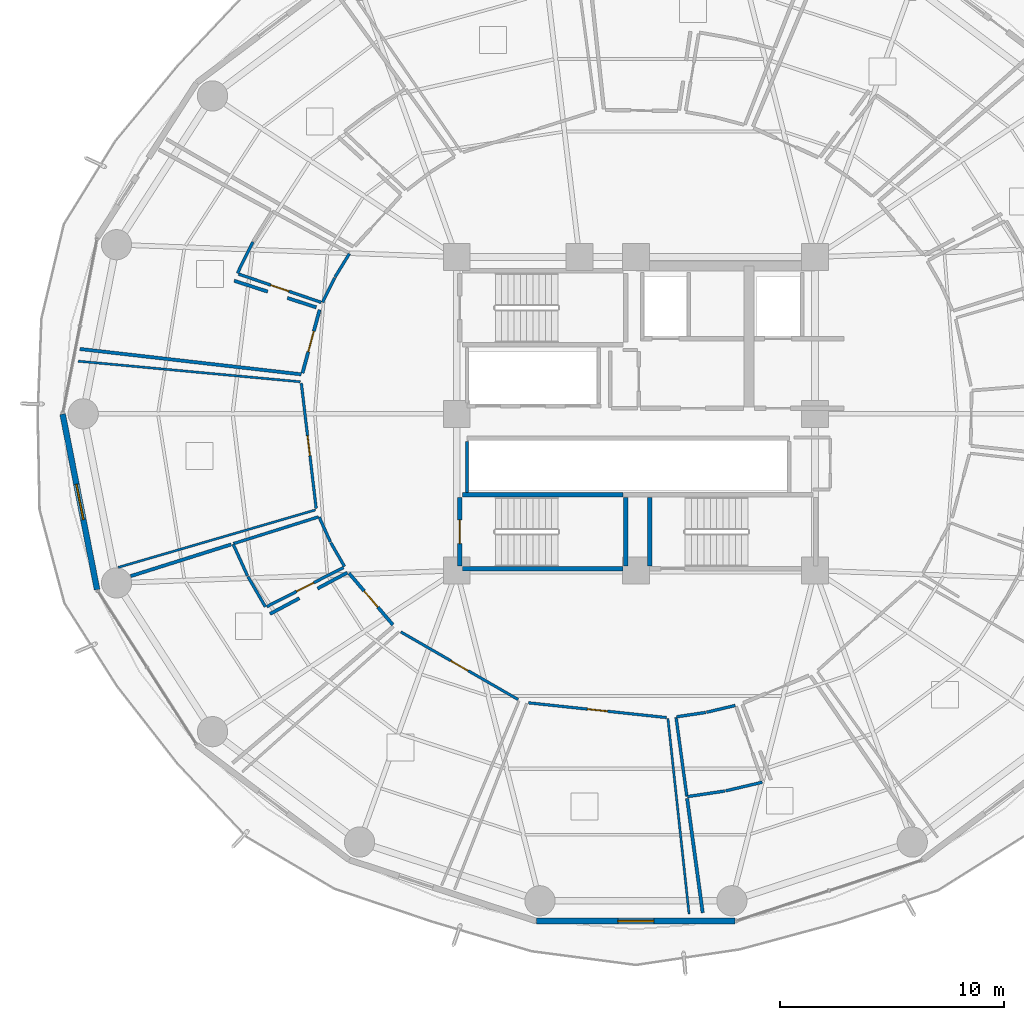
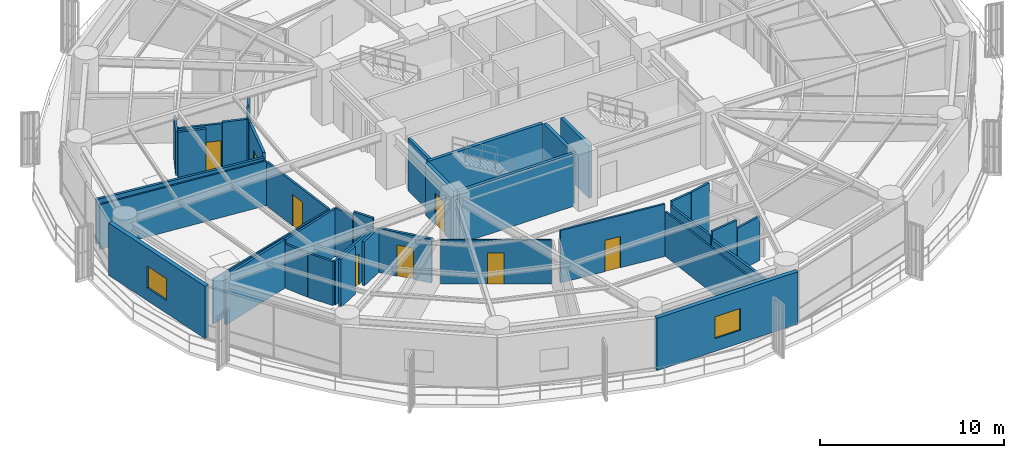
# One storey, part 29 of 37: 38 walls, 8 doors, 2 windows, 10 openings.
"""IFC4 building model written with IfcOpenShell, lengths in metres."""

from ifc_helpers import new_model, si_unit, direction, frame, frame_2d, origin, place, context, subcontext, project, spatial, rectangle, extrude, material, layer, layer_set, type_object, element, fill, save


model = new_model("IFC4")

# Units and contexts
model_context = context("Model", 3, precision=1e-05, world=origin(), true_north=direction((0.0, 1.0)))
body_context = subcontext(model_context, "Body", "Model", "MODEL_VIEW")
ifc_project = project(units=[si_unit("LENGTHUNIT", "METRE"), si_unit("AREAUNIT", "SQUARE_METRE"), si_unit("VOLUMEUNIT", "CUBIC_METRE"), si_unit("PLANEANGLEUNIT", "RADIAN"), si_unit("MASSUNIT", "GRAM", prefix="KILO")], contexts=[model_context])

# Site, building, storey
site_placement = place(None, origin())
site = spatial("IfcSite", under=ifc_project, at=site_placement, CompositionType="ELEMENT")
building_placement = place(site_placement, origin())
building = spatial("IfcBuilding", under=site, at=building_placement, Name="Kelanora Arch Commons", CompositionType="ELEMENT")
storey_placement = place(building_placement, frame((0.0, 0.0, 113.85009765625)))
storey = spatial("IfcBuildingStorey", under=building, at=storey_placement, Name="L29", CompositionType="ELEMENT", Elevation=113.85009765625)

# Wall
ifc_material_1 = material(Name="Autoclaved aerated concrete blockwork with fire plaster", Category="masonry")
ifc_layer_1 = layer(ifc_material_1, 0.14990234375)
ifc_layer_set_1 = layer_set([ifc_layer_1], Name="Autoclaved aerated concrete blockwork with fire plaster")
wall_type_1 = type_object("IfcWallType", Name="W-COMP-150", PredefinedType="PARTITIONING", material=ifc_layer_set_1)
wall_1_placement = place(storey_placement, frame((66.4599609375, 54.47998046875, 0.0), z_axis=(0.0, 0.0, 1.0), x_axis=(0.0, 1.0, 0.0)))
element("IfcWall", 1, at=wall_1_placement, inside=storey, type_object=wall_type_1, Name="South Lift Bank West Wall L29", PredefinedType="PARTITIONING", context=body_context, shape_type="SweptSolid", body=[
    extrude(rectangle(XDim=2.2900390625, YDim=0.14990234375, at=frame_2d((1.14501953125, 0.0))), origin(), (0.0, 0.0, 1.0), 3.47998046875),
])

# Wall, opening, door
wall_2_placement = place(storey_placement, frame((59.877197265625, 62.64404296875, 0.0), z_axis=(0.0, 0.0, 1.0), x_axis=(-0.261318400877, -0.965252657786, 0.0)))
wall_2 = element("IfcWall", 2, at=wall_2_placement, inside=storey, type_object=wall_type_1, Name="Co-Living Studio L29-06 Entry Partition", PredefinedType="PARTITIONING", context=body_context, shape_type="SweptSolid", body=[
    extrude(rectangle(XDim=2.928955078125, YDim=0.14990234375, at=frame_2d((1.46435546875, 0.0))), origin(), (0.0, 0.0, 1.0), 3.23486328125),
])
opening_1_placement = place(wall_2_placement, frame((0.989990234375, 0.0, 0.0)))
opening_1 = element("IfcOpeningElement", 3, at=opening_1_placement, cuts=wall_2, Name="Opening D-CLU1", PredefinedType="OPENING", context=body_context, shape_type="SweptSolid", body=[
    extrude(rectangle(XDim=0.949951171875, YDim=2.080078125, at=frame_2d((0.47509765625, 1.0400390625))), frame((0.0, 0.0849609375, 0.0), z_axis=(0.0, -1.0, 0.0), x_axis=(1.0, 0.0, 0.0)), (0.0, 0.0, 1.0), 0.169921875),
])
ifc_material_2 = material(Name="Solid-core acoustic timber cluster entry fire door", Category="wood")
door_type_1 = type_object("IfcDoorType", Name="D-CLU-95", OperationType="NOTDEFINED", PredefinedType="DOOR", material=ifc_material_2)
door_1_placement = place(opening_1_placement, origin())
door_1 = element("IfcDoor", 4, at=door_1_placement, inside=storey, type_object=door_type_1, Name="Co-Living Studio L29-06 Door", OperationType="SINGLE_SWING_LEFT", OverallHeight=2.080078125, OverallWidth=0.949951171875, PredefinedType="DOOR", context=body_context, shape_type="SweptSolid", body=[
    extrude(rectangle(XDim=0.949951171875, YDim=2.080078125, at=frame_2d((0.47509765625, 1.0400390625))), frame((0.0, 0.02490234375, 0.0), z_axis=(0.0, -1.0, 0.0), x_axis=(1.0, 0.0, 0.0)), (0.0, 0.0, 1.0), 0.050048828125),
])
fill(opening_1, door_1)

wall_3_placement = place(storey_placement, frame((61.18896484375, 50.88330078125, 0.0), z_axis=(0.0, 0.0, 1.0), x_axis=(0.647807427381, -0.761804132983, 0.0)))
wall_3 = element("IfcWall", 5, at=wall_3_placement, inside=storey, type_object=wall_type_1, Name="Co-Living Studio L29-08 Entry Partition", PredefinedType="PARTITIONING", context=body_context, shape_type="SweptSolid", body=[
    extrude(rectangle(XDim=3.030517578125, YDim=0.14990234375, at=frame_2d((1.51513671875, 0.0))), origin(), (0.0, 0.0, 1.0), 2.9248046875),
])
opening_2_placement = place(wall_3_placement, frame((1.0400390625, 0.0, 0.0)))
opening_2 = element("IfcOpeningElement", 6, at=opening_2_placement, cuts=wall_3, Name="Opening D-CLU1", PredefinedType="OPENING", context=body_context, shape_type="SweptSolid", body=[
    extrude(rectangle(XDim=0.949951171875, YDim=2.080078125, at=frame_2d((0.47509765625, 1.0400390625))), frame((0.0, 0.0849609375, 0.0), z_axis=(0.0, -1.0, 0.0), x_axis=(1.0, 0.0, 0.0)), (0.0, 0.0, 1.0), 0.169921875),
])
door_2_placement = place(opening_2_placement, origin())
door_2 = element("IfcDoor", 7, at=door_2_placement, inside=storey, type_object=door_type_1, Name="Co-Living Studio L29-08 Door", OperationType="SINGLE_SWING_RIGHT", OverallHeight=2.080078125, OverallWidth=0.949951171875, PredefinedType="DOOR", context=body_context, shape_type="SweptSolid", body=[
    extrude(rectangle(XDim=0.949951171875, YDim=2.080078125, at=frame_2d((0.47509765625, 1.0400390625))), frame((0.0, 0.02490234375, 0.0), z_axis=(0.0, -1.0, 0.0), x_axis=(1.0, 0.0, 0.0)), (0.0, 0.0, 1.0), 0.050048828125),
])
fill(opening_2, door_2)

# Walls
wall_4_placement = place(storey_placement, frame((59.056396484375, 59.763671875, 0.0), z_axis=(0.0, 0.0, 1.0), x_axis=(-0.993499735411, 0.113834422469, 0.0)))
element("IfcWall", 8, at=wall_4_placement, inside=storey, type_object=wall_type_1, Name="Co-Living Studio L29-06 Enclosure Partition 2", PredefinedType="PARTITIONING", context=body_context, shape_type="SweptSolid", body=[
    extrude(rectangle(XDim=9.951416015625, YDim=0.14990234375, at=frame_2d((4.9755859375, 0.0))), origin(), (0.0, 0.0, 1.0), 2.974853515625),
])
wall_5_placement = place(storey_placement, frame((56.064208984375, 63.941650390625, 0.0), z_axis=(0.0, 0.0, 1.0), x_axis=(0.951364274241, -0.308068202997, 0.0)))
element("IfcWall", 9, at=wall_5_placement, inside=storey, type_object=wall_type_1, Name="Co-Living Studio L29-06 Enclosure Partition 7", PredefinedType="PARTITIONING", context=body_context, shape_type="SweptSolid", body=[
    extrude(rectangle(XDim=1.572998046875, YDim=0.14990234375, at=frame_2d((0.78662109375, 0.0))), origin(), (0.0, 0.0, 1.0), 3.1748046875),
])
wall_6_placement = place(storey_placement, frame((58.436279296875, 63.173583984375, 0.0), z_axis=(0.0, 0.0, 1.0), x_axis=(0.95138250871, -0.30801188633, 0.0)))
element("IfcWall", 10, at=wall_6_placement, inside=storey, type_object=wall_type_1, Name="Co-Living Studio L29-06 Enclosure Partition 7", PredefinedType="PARTITIONING", context=body_context, shape_type="SweptSolid", body=[
    extrude(rectangle(XDim=1.35693359375, YDim=0.14990234375, at=frame_2d((0.678466796875, 0.0))), origin(), (0.0, 0.0, 1.0), 3.47998046875),
])
wall_7_placement = place(storey_placement, frame((51.4384765625, 50.753173828125, 0.0), z_axis=(0.0, 0.0, 1.0), x_axis=(0.953736790079, 0.300642869946, 0.0)))
element("IfcWall", 11, at=wall_7_placement, inside=storey, type_object=wall_type_1, Name="Co-Living Studio L29-08 Enclosure Partition 5", PredefinedType="PARTITIONING", context=body_context, shape_type="SweptSolid", body=[
    extrude(rectangle(XDim=4.71240234375, YDim=0.14990234375, at=frame_2d((2.356201171875, 0.0))), origin(), (0.0, 0.0, 1.0), 3.23486328125),
])
wall_8_placement = place(storey_placement, frame((57.663330078125, 49.06591796875, 0.0), z_axis=(0.0, 0.0, 1.0), x_axis=(0.881978876335, 0.471288936533, 0.0)))
element("IfcWall", 12, at=wall_8_placement, inside=storey, type_object=wall_type_1, Name="Co-Living Studio L29-08 Enclosure Partition 7", PredefinedType="PARTITIONING", context=body_context, shape_type="SweptSolid", body=[
    extrude(rectangle(XDim=1.482666015625, YDim=0.14990234375, at=frame_2d((0.7412109375, 0.0))), origin(), (0.0, 0.0, 1.0), 3.1748046875),
])
wall_9_placement = place(storey_placement, frame((59.782470703125, 50.1982421875, 0.0), z_axis=(0.0, 0.0, 1.0), x_axis=(0.88197684433, 0.471292739246, 0.0)))
element("IfcWall", 13, at=wall_9_placement, inside=storey, type_object=wall_type_1, Name="Co-Living Studio L29-08 Enclosure Partition 7", PredefinedType="PARTITIONING", context=body_context, shape_type="SweptSolid", body=[
    extrude(rectangle(XDim=1.510498046875, YDim=0.14990234375, at=frame_2d((0.75537109375, 0.0))), origin(), (0.0, 0.0, 1.0), 2.9248046875),
])
wall_10_placement = place(storey_placement, frame((76.982666015625, 35.719482421875, 0.0), z_axis=(0.0, 0.0, 1.0), x_axis=(-0.134956721903, 0.990851494026, 0.0)))
element("IfcWall", 14, at=wall_10_placement, inside=storey, type_object=wall_type_1, Name="Co-Living Studio L29-11 Enclosure Partition 5", PredefinedType="PARTITIONING", context=body_context, shape_type="SweptSolid", body=[
    extrude(rectangle(XDim=5.152099609375, YDim=0.14990234375, at=frame_2d((2.576171875, 0.0))), origin(), (0.0, 0.0, 1.0), 2.974853515625),
])

# Wall, opening, window
ifc_material_3 = material(Name="Precast concrete C40/50 with terracotta rainscreen", Category="masonry")
ifc_layer_2 = layer(ifc_material_3, 0.260009765625)
ifc_layer_set_2 = layer_set([ifc_layer_2], Name="Precast concrete C40/50 with terracotta rainscreen")
wall_type_2 = type_object("IfcWallType", Name="W-EXT-TC", PredefinedType="SOLIDWALL", material=ifc_layer_set_2)
wall_11_placement = place(storey_placement, frame((48.40283203125, 57.9853515625, 0.0), z_axis=(0.0, 0.0, 1.0), x_axis=(0.192581843632, -0.981280914674, 0.0)))
wall_11 = element("IfcWall", 15, at=wall_11_placement, inside=storey, type_object=wall_type_2, Name="Terracotta Exterior Wall L29-B09", PredefinedType="SOLIDWALL", context=body_context, shape_type="SweptSolid", body=[
    extrude(rectangle(XDim=7.986572265625, YDim=0.260009765625, at=frame_2d((3.9931640625, 0.0))), origin(), (0.0, 0.0, 1.0), 3.474853515625),
])
opening_3_placement = place(wall_11_placement, frame((3.193115234375, 0.0, 0.85009765625)))
opening_3 = element("IfcOpeningElement", 16, at=opening_3_placement, cuts=wall_11, Name="Opening WN-01", PredefinedType="OPENING", context=body_context, shape_type="SweptSolid", body=[
    extrude(rectangle(XDim=1.60009765625, YDim=1.449951171875, at=frame_2d((0.800048828125, 0.72509765625))), frame((0.0, 0.14013671875, 0.0), z_axis=(0.0, -1.0, 0.0), x_axis=(1.0, 0.0, 0.0)), (0.0, 0.0, 1.0), 0.280029296875),
])
ifc_material_4 = material(Name="Terracotta-anodised aluminium frame with operable low-E glazing", Category="masonry")
window_type = type_object("IfcWindowType", Name="WIN-CL-18", PartitioningType="DOUBLE_PANEL_VERTICAL", PredefinedType="WINDOW", material=ifc_material_4)
window_1_placement = place(opening_3_placement, origin())
window_1 = element("IfcWindow", 17, at=window_1_placement, inside=storey, type_object=window_type, Name="Co-Living Operable Window L29-B09", OverallHeight=1.449951171875, OverallWidth=1.60009765625, PartitioningType="SINGLE_PANEL", PredefinedType="WINDOW", context=body_context, shape_type="SweptSolid", body=[
    extrude(rectangle(XDim=1.60009765625, YDim=1.449951171875, at=frame_2d((0.800048828125, 0.72509765625))), frame((0.0, 0.030029296875, 0.0), z_axis=(0.0, -1.0, 0.0), x_axis=(1.0, 0.0, 0.0)), (0.0, 0.0, 1.0), 0.06005859375),
])
fill(opening_3, window_1)

wall_12_placement = place(storey_placement, frame((69.569580078125, 35.349365234375, 0.0), z_axis=(0.0, 0.0, 1.0), x_axis=(1.0, 0.0, 0.0)))
wall_12 = element("IfcWall", 18, at=wall_12_placement, inside=storey, type_object=wall_type_2, Name="Terracotta Exterior Wall L29-B13", PredefinedType="SOLIDWALL", context=body_context, shape_type="SweptSolid", body=[
    extrude(rectangle(XDim=8.86083984375, YDim=0.260009765625, at=frame_2d((4.430419921875, 0.0))), origin(), (0.0, 0.0, 1.0), 3.474853515625),
])
opening_4_placement = place(wall_12_placement, frame((3.6298828125, 0.0, 0.85009765625)))
opening_4 = element("IfcOpeningElement", 19, at=opening_4_placement, cuts=wall_12, Name="Opening WN-01", PredefinedType="OPENING", context=body_context, shape_type="SweptSolid", body=[
    extrude(rectangle(XDim=1.60009765625, YDim=1.449951171875, at=frame_2d((0.800048828125, 0.72509765625))), frame((0.0, 0.14013671875, 0.0), z_axis=(0.0, -1.0, 0.0), x_axis=(1.0, 0.0, 0.0)), (0.0, 0.0, 1.0), 0.280029296875),
])
window_2_placement = place(opening_4_placement, origin())
window_2 = element("IfcWindow", 20, at=window_2_placement, inside=storey, type_object=window_type, Name="Co-Living Operable Window L29-B13", OverallHeight=1.449951171875, OverallWidth=1.60009765625, PartitioningType="SINGLE_PANEL", PredefinedType="WINDOW", context=body_context, shape_type="SweptSolid", body=[
    extrude(rectangle(XDim=1.60009765625, YDim=1.449951171875, at=frame_2d((0.800048828125, 0.72509765625))), frame((0.0, 0.030029296875, 0.0), z_axis=(0.0, -1.0, 0.0), x_axis=(1.0, 0.0, 0.0)), (0.0, 0.0, 1.0), 0.06005859375),
])
fill(opening_4, window_2)

# Walls
ifc_material_5 = material(Name="Lightweight fire-rated acoustic stud partition")
ifc_layer_3 = layer(ifc_material_5, 0.10009765625)
ifc_layer_set_3 = layer_set([ifc_layer_3], Name="Lightweight fire-rated acoustic stud partition")
wall_type_3 = type_object("IfcWallType", Name="W-PART-100", PredefinedType="PARTITIONING", material=ifc_layer_set_3)
wall_13_placement = place(storey_placement, frame((59.691650390625, 53.708740234375, 0.0), z_axis=(0.0, 0.0, 1.0), x_axis=(-0.960114392492, -0.279607498701, 0.0)))
element("IfcWall", 21, at=wall_13_placement, inside=storey, type_object=wall_type_3, Name="Social Sky Lounge L29-07 Enclosure Partition 2", PredefinedType="PARTITIONING", context=body_context, shape_type="SweptSolid", body=[
    extrude(rectangle(XDim=9.172607421875, YDim=0.10009765625, at=frame_2d((4.58642578125, 0.0))), origin(), (0.0, 0.0, 1.0), 2.974853515625),
])
wall_14_placement = place(storey_placement, frame((49.097900390625, 60.351318359375, 0.0), z_axis=(0.0, 0.0, 1.0), x_axis=(0.99572594759, -0.092357118277, 0.0)))
element("IfcWall", 22, at=wall_14_placement, inside=storey, type_object=wall_type_3, Name="Social Sky Lounge L29-07 Enclosure Partition 4", PredefinedType="PARTITIONING", context=body_context, shape_type="SweptSolid", body=[
    extrude(rectangle(XDim=9.957763671875, YDim=0.10009765625, at=frame_2d((4.97900390625, 0.0))), origin(), (0.0, 0.0, 1.0), 2.974853515625),
])
wall_15_placement = place(storey_placement, frame((75.430419921875, 44.39111328125, 0.0), z_axis=(0.0, 0.0, 1.0), x_axis=(0.107541262508, -0.994200622037, 0.0)))
element("IfcWall", 23, at=wall_15_placement, inside=storey, type_object=wall_type_3, Name="Communal Dining and Social Hall L29-10 Enclosure Partition 2", PredefinedType="PARTITIONING", context=body_context, shape_type="SweptSolid", body=[
    extrude(rectangle(XDim=8.78125, YDim=0.10009765625, at=frame_2d((4.390625, 0.0))), origin(), (0.0, 0.0, 1.0), 2.974853515625),
])

# Wall, opening, door
ifc_material_6 = material(Name="Acoustic twin-stud fire-rated gypsum partition")
ifc_layer_4 = layer(ifc_material_6, 0.1201171875)
ifc_layer_set_4 = layer_set([ifc_layer_4], Name="Acoustic twin-stud fire-rated gypsum partition")
wall_type_4 = type_object("IfcWallType", Name="W-PART-120", PredefinedType="PARTITIONING", material=ifc_layer_set_4)
wall_16_placement = place(storey_placement, frame((59.06005859375, 59.368408203125, 0.0), z_axis=(0.0, 0.0, 1.0), x_axis=(0.117774962559, -0.993040310458, 0.0)))
wall_16 = element("IfcWall", 24, at=wall_16_placement, inside=storey, type_object=wall_type_4, Name="Social Sky Lounge L29-07 Entry Partition", PredefinedType="PARTITIONING", context=body_context, shape_type="SweptSolid", body=[
    extrude(rectangle(XDim=5.6279296875, YDim=0.1201171875, at=frame_2d((2.81396484375, 0.0))), origin(), (0.0, 0.0, 1.0), 2.9248046875),
])
opening_5_placement = place(wall_16_placement, frame((2.364013671875, 0.0, 0.0)))
opening_5 = element("IfcOpeningElement", 25, at=opening_5_placement, cuts=wall_16, Name="Opening D-RM1", PredefinedType="OPENING", context=body_context, shape_type="SweptSolid", body=[
    extrude(rectangle(XDim=0.89990234375, YDim=2.080078125, at=frame_2d((0.449951171875, 1.0400390625))), frame((0.0, 0.070068359375, 0.0), z_axis=(0.0, -1.0, 0.0), x_axis=(1.0, 0.0, 0.0)), (0.0, 0.0, 1.0), 0.14013671875),
])
ifc_material_7 = material(Name="Acoustic fire-rated timber study and lounge door", Category="wood")
door_type_2 = type_object("IfcDoorType", Name="D-ROOM-90", OperationType="NOTDEFINED", PredefinedType="DOOR", material=ifc_material_7)
door_3_placement = place(opening_5_placement, origin())
door_3 = element("IfcDoor", 26, at=door_3_placement, inside=storey, type_object=door_type_2, Name="Social Sky Lounge L29-07 Door", OperationType="SINGLE_SWING_RIGHT", OverallHeight=2.080078125, OverallWidth=0.89990234375, PredefinedType="DOOR", context=body_context, shape_type="SweptSolid", body=[
    extrude(rectangle(XDim=0.89990234375, YDim=2.080078125, at=frame_2d((0.449951171875, 1.0400390625))), frame((0.0, 0.02490234375, 0.0), z_axis=(0.0, -1.0, 0.0), x_axis=(1.0, 0.0, 0.0)), (0.0, 0.0, 1.0), 0.050048828125),
])
fill(opening_5, door_3)

wall_17_placement = place(storey_placement, frame((63.5009765625, 48.262939453125, 0.0), z_axis=(0.0, 0.0, 1.0), x_axis=(0.866473771155, -0.499222599548, 0.0)))
wall_17 = element("IfcWall", 27, at=wall_17_placement, inside=storey, type_object=wall_type_4, Name="Quiet Seminar Study Room L29-09 Entry Partition", PredefinedType="PARTITIONING", context=body_context, shape_type="SweptSolid", body=[
    extrude(rectangle(XDim=6.047607421875, YDim=0.1201171875, at=frame_2d((3.02392578125, 0.0))), origin(), (0.0, 0.0, 1.0), 2.9248046875),
])
opening_6_placement = place(wall_17_placement, frame((2.573974609375, 0.0, 0.0)))
opening_6 = element("IfcOpeningElement", 28, at=opening_6_placement, cuts=wall_17, Name="Opening D-RM1", PredefinedType="OPENING", context=body_context, shape_type="SweptSolid", body=[
    extrude(rectangle(XDim=0.89990234375, YDim=2.080078125, at=frame_2d((0.449951171875, 1.0400390625))), frame((0.0, 0.070068359375, 0.0), z_axis=(0.0, -1.0, 0.0), x_axis=(1.0, 0.0, 0.0)), (0.0, 0.0, 1.0), 0.14013671875),
])
door_4_placement = place(opening_6_placement, origin())
door_4 = element("IfcDoor", 29, at=door_4_placement, inside=storey, type_object=door_type_2, Name="Quiet Seminar Study Room L29-09 Door", OperationType="SINGLE_SWING_LEFT", OverallHeight=2.080078125, OverallWidth=0.89990234375, PredefinedType="DOOR", context=body_context, shape_type="SweptSolid", body=[
    extrude(rectangle(XDim=0.89990234375, YDim=2.080078125, at=frame_2d((0.449951171875, 1.0400390625))), frame((0.0, 0.02490234375, 0.0), z_axis=(0.0, -1.0, 0.0), x_axis=(1.0, 0.0, 0.0)), (0.0, 0.0, 1.0), 0.050048828125),
])
fill(opening_6, door_4)

wall_18_placement = place(storey_placement, frame((69.19873046875, 45.0966796875, 0.0), z_axis=(0.0, 0.0, 1.0), x_axis=(0.994336816939, -0.10627461823, 0.0)))
wall_18 = element("IfcWall", 30, at=wall_18_placement, inside=storey, type_object=wall_type_4, Name="Communal Dining and Social Hall L29-10 Entry Partition", PredefinedType="PARTITIONING", context=body_context, shape_type="SweptSolid", body=[
    extrude(rectangle(XDim=6.20263671875, YDim=0.1201171875, at=frame_2d((3.101318359375, 0.0))), origin(), (0.0, 0.0, 1.0), 3.47998046875),
])
opening_7_placement = place(wall_18_placement, frame((2.65087890625, 0.0, 0.0)))
opening_7 = element("IfcOpeningElement", 31, at=opening_7_placement, cuts=wall_18, Name="Opening D-RM1", PredefinedType="OPENING", context=body_context, shape_type="SweptSolid", body=[
    extrude(rectangle(XDim=0.89990234375, YDim=2.080078125, at=frame_2d((0.449951171875, 1.0400390625))), frame((0.0, 0.070068359375, 0.0), z_axis=(0.0, -1.0, 0.0), x_axis=(1.0, 0.0, 0.0)), (0.0, 0.0, 1.0), 0.14013671875),
])
door_5_placement = place(opening_7_placement, origin())
door_5 = element("IfcDoor", 32, at=door_5_placement, inside=storey, type_object=door_type_2, Name="Communal Dining and Social Hall L29-10 Door", OperationType="SINGLE_SWING_RIGHT", OverallHeight=2.080078125, OverallWidth=0.89990234375, PredefinedType="DOOR", context=body_context, shape_type="SweptSolid", body=[
    extrude(rectangle(XDim=0.89990234375, YDim=2.080078125, at=frame_2d((0.449951171875, 1.0400390625))), frame((0.0, 0.02490234375, 0.0), z_axis=(0.0, -1.0, 0.0), x_axis=(1.0, 0.0, 0.0)), (0.0, 0.0, 1.0), 0.050048828125),
])
fill(opening_7, door_5)

# Walls
ifc_material_8 = material(Name="Concrete C40/50", Category="concrete")
ifc_layer_5 = layer(ifc_material_8, 0.199951171875)
ifc_layer_set_5 = layer_set([ifc_layer_5], Name="Concrete C40/50")
wall_type_5 = type_object("IfcWallType", Name="W-STAIR-200", PredefinedType="SHEAR", material=ifc_layer_set_5)
wall_19_placement = place(storey_placement, frame((74.6201171875, 54.27001953125, 0.0), z_axis=(0.0, 0.0, 1.0), x_axis=(0.0, -1.0, 0.0)))
element("IfcWall", 33, at=wall_19_placement, inside=storey, type_object=wall_type_5, Name="Stair ST-T2 Shaft Wall W L29", PredefinedType="SHEAR", context=body_context, shape_type="SweptSolid", body=[
    extrude(rectangle(XDim=3.070068359375, YDim=0.199951171875, at=frame_2d((1.53515625, 0.0))), origin(), (0.0, 0.0, 1.0), 3.489990234375),
])
wall_20_placement = place(storey_placement, frame((66.260009765625, 51.080078125, 0.0), z_axis=(0.0, 0.0, 1.0), x_axis=(1.0, 0.0, 0.0)))
element("IfcWall", 34, at=wall_20_placement, inside=storey, type_object=wall_type_5, Name="Stair ST-T3 Shaft Wall S L29", PredefinedType="SHEAR", context=body_context, shape_type="SweptSolid", body=[
    extrude(rectangle(XDim=7.159912109375, YDim=0.199951171875, at=frame_2d((3.580078125, 0.0))), origin(), (0.0, 0.0, 1.0), 3.489990234375),
])
wall_21_placement = place(storey_placement, frame((73.5400390625, 51.199951171875, 0.0), z_axis=(0.0, 0.0, 1.0), x_axis=(0.0, 1.0, 0.0)))
element("IfcWall", 35, at=wall_21_placement, inside=storey, type_object=wall_type_5, Name="Stair ST-T3 Shaft Wall E L29", PredefinedType="SHEAR", context=body_context, shape_type="SweptSolid", body=[
    extrude(rectangle(XDim=3.070068359375, YDim=0.199951171875, at=frame_2d((1.53515625, 0.0))), origin(), (0.0, 0.0, 1.0), 3.489990234375),
])
wall_22_placement = place(storey_placement, frame((73.419921875, 54.389892578125, 0.0), z_axis=(0.0, 0.0, 1.0), x_axis=(-1.0, 0.0, 0.0)))
element("IfcWall", 36, at=wall_22_placement, inside=storey, type_object=wall_type_5, Name="Stair ST-T3 Shaft Wall N L29", PredefinedType="SHEAR", context=body_context, shape_type="SweptSolid", body=[
    extrude(rectangle(XDim=7.159912109375, YDim=0.199951171875, at=frame_2d((3.580078125, 0.0))), origin(), (0.0, 0.0, 1.0), 3.489990234375),
])

# Wall, opening, door
wall_23_placement = place(storey_placement, frame((66.139892578125, 54.27001953125, 0.0), z_axis=(0.0, 0.0, 1.0), x_axis=(0.0, -1.0, 0.0)))
wall_23 = element("IfcWall", 37, at=wall_23_placement, inside=storey, type_object=wall_type_5, Name="Stair ST-T3 Shaft Wall W L29", PredefinedType="SHEAR", context=body_context, shape_type="SweptSolid", body=[
    extrude(rectangle(XDim=3.070068359375, YDim=0.199951171875, at=frame_2d((1.53515625, 0.0))), origin(), (0.0, 0.0, 1.0), 3.489990234375),
])
opening_8_placement = place(wall_23_placement, frame((1.010009765625, 0.0, 0.0)))
opening_8 = element("IfcOpeningElement", 38, at=opening_8_placement, cuts=wall_23, Name="Opening D-ST1", PredefinedType="OPENING", context=body_context, shape_type="SweptSolid", body=[
    extrude(rectangle(XDim=1.050048828125, YDim=2.10009765625, at=frame_2d((0.52490234375, 1.050048828125))), frame((0.0, 0.10986328125, 0.0), z_axis=(0.0, -1.0, 0.0), x_axis=(1.0, 0.0, 0.0)), (0.0, 0.0, 1.0), 0.219970703125),
])
ifc_material_9 = material(Name="Steel fire-rated stairwell escape door", Category="steel")
door_type_3 = type_object("IfcDoorType", Name="D-STAIR-110", OperationType="NOTDEFINED", PredefinedType="DOOR", material=ifc_material_9)
door_6_placement = place(opening_8_placement, origin())
door_6 = element("IfcDoor", 39, at=door_6_placement, inside=storey, type_object=door_type_3, Name="Stair ST-T3 Escape Door L29", OperationType="SINGLE_SWING_LEFT", OverallHeight=2.10009765625, OverallWidth=1.050048828125, PredefinedType="DOOR", context=body_context, shape_type="SweptSolid", body=[
    extrude(rectangle(XDim=1.050048828125, YDim=2.10009765625, at=frame_2d((0.52490234375, 1.050048828125))), frame((0.0, 0.02490234375, 0.0), z_axis=(0.0, -1.0, 0.0), x_axis=(1.0, 0.0, 0.0)), (0.0, 0.0, 1.0), 0.050048828125),
])
fill(opening_8, door_6)

ifc_material_10 = material(Name="Moisture-resistant fire-rated cement-board plumbing wall")
ifc_layer_6 = layer(ifc_material_10, 0.1298828125)
ifc_layer_set_6 = layer_set([ifc_layer_6], Name="Moisture-resistant fire-rated cement-board plumbing wall")
wall_type_6 = type_object("IfcWallType", Name="W-WET-120", PredefinedType="PLUMBINGWALL", material=ifc_layer_set_6)
wall_24_placement = place(storey_placement, frame((59.943359375, 62.9775390625, 0.0), z_axis=(0.0, 0.0, 1.0), x_axis=(-0.945827876365, 0.324668489835, 0.0)))
wall_24 = element("IfcWall", 40, at=wall_24_placement, inside=storey, type_object=wall_type_6, Name="En-Suite Shower WC L29-06 Entry Partition", PredefinedType="PLUMBINGWALL", context=body_context, shape_type="SweptSolid", body=[
    extrude(rectangle(XDim=3.89892578125, YDim=0.1298828125, at=frame_2d((1.949462890625, 0.0))), origin(), (0.0, 0.0, 1.0), 3.1748046875),
])
opening_9_placement = place(wall_24_placement, frame((1.51904296875, 0.0, 0.0)))
opening_9 = element("IfcOpeningElement", 41, at=opening_9_placement, cuts=wall_24, Name="Opening D-BT1", PredefinedType="OPENING", context=body_context, shape_type="SweptSolid", body=[
    extrude(rectangle(XDim=0.860107421875, YDim=2.050048828125, at=frame_2d((0.43017578125, 1.02490234375))), frame((0.0, 0.074951171875, 0.0), z_axis=(0.0, -1.0, 0.0), x_axis=(1.0, 0.0, 0.0)), (0.0, 0.0, 1.0), 0.14990234375),
])
ifc_material_11 = material(Name="Moisture-sealed fire-rated accessible bathroom door")
door_type_4 = type_object("IfcDoorType", Name="D-BATH-85", OperationType="NOTDEFINED", PredefinedType="DOOR", material=ifc_material_11)
door_7_placement = place(opening_9_placement, origin())
door_7 = element("IfcDoor", 42, at=door_7_placement, inside=storey, type_object=door_type_4, Name="En-Suite Shower WC L29-06 Door", OperationType="SINGLE_SWING_RIGHT", OverallHeight=2.050048828125, OverallWidth=0.860107421875, PredefinedType="DOOR", context=body_context, shape_type="SweptSolid", body=[
    extrude(rectangle(XDim=0.860107421875, YDim=2.050048828125, at=frame_2d((0.43017578125, 1.02490234375))), frame((0.0, 0.02490234375, 0.0), z_axis=(0.0, -1.0, 0.0), x_axis=(1.0, 0.0, 0.0)), (0.0, 0.0, 1.0), 0.050048828125),
])
fill(opening_9, door_7)

wall_25_placement = place(storey_placement, frame((60.943603515625, 51.1376953125, 0.0), z_axis=(0.0, 0.0, 1.0), x_axis=(-0.890879426821, -0.454239856097, 0.0)))
wall_25 = element("IfcWall", 43, at=wall_25_placement, inside=storey, type_object=wall_type_6, Name="En-Suite Shower WC L29-08 Entry Partition", PredefinedType="PLUMBINGWALL", context=body_context, shape_type="SweptSolid", body=[
    extrude(rectangle(XDim=3.84228515625, YDim=0.1298828125, at=frame_2d((1.921142578125, 0.0))), origin(), (0.0, 0.0, 1.0), 2.9248046875),
])
opening_10_placement = place(wall_25_placement, frame((1.490966796875, 0.0, 0.0)))
opening_10 = element("IfcOpeningElement", 44, at=opening_10_placement, cuts=wall_25, Name="Opening D-BT1", PredefinedType="OPENING", context=body_context, shape_type="SweptSolid", body=[
    extrude(rectangle(XDim=0.860107421875, YDim=2.050048828125, at=frame_2d((0.43017578125, 1.02490234375))), frame((0.0, 0.074951171875, 0.0), z_axis=(0.0, -1.0, 0.0), x_axis=(1.0, 0.0, 0.0)), (0.0, 0.0, 1.0), 0.14990234375),
])
door_8_placement = place(opening_10_placement, origin())
door_8 = element("IfcDoor", 45, at=door_8_placement, inside=storey, type_object=door_type_4, Name="En-Suite Shower WC L29-08 Door", OperationType="SINGLE_SWING_LEFT", OverallHeight=2.050048828125, OverallWidth=0.860107421875, PredefinedType="DOOR", context=body_context, shape_type="SweptSolid", body=[
    extrude(rectangle(XDim=0.860107421875, YDim=2.050048828125, at=frame_2d((0.43017578125, 1.02490234375))), frame((0.0, 0.02490234375, 0.0), z_axis=(0.0, -1.0, 0.0), x_axis=(1.0, 0.0, 0.0)), (0.0, 0.0, 1.0), 0.050048828125),
])
fill(opening_10, door_8)

# Walls
wall_26_placement = place(storey_placement, frame((61.20556640625, 65.15087890625, 0.0), z_axis=(0.0, 0.0, 1.0), x_axis=(-0.523186998394, -0.852217909171, 0.0)))
element("IfcWall", 46, at=wall_26_placement, inside=storey, type_object=wall_type_6, Name="En-Suite Shower WC L29-06 Enclosure Partition 1", PredefinedType="PLUMBINGWALL", context=body_context, shape_type="SweptSolid", body=[
    extrude(rectangle(XDim=1.227294921875, YDim=0.1298828125, at=frame_2d((0.61376953125, 0.0))), origin(), (0.0, 0.0, 1.0), 2.9248046875),
])
wall_27_placement = place(storey_placement, frame((60.544189453125, 64.070068359375, 0.0), z_axis=(0.0, 0.0, 1.0), x_axis=(-0.43958039047, -0.898203251115, 0.0)))
element("IfcWall", 47, at=wall_27_placement, inside=storey, type_object=wall_type_6, Name="En-Suite Shower WC L29-06 Enclosure Partition 2", PredefinedType="PLUMBINGWALL", context=body_context, shape_type="SweptSolid", body=[
    extrude(rectangle(XDim=1.218017578125, YDim=0.1298828125, at=frame_2d((0.60888671875, 0.0))), origin(), (0.0, 0.0, 1.0), 3.23486328125),
])
wall_28_placement = place(storey_placement, frame((56.207763671875, 64.281005859375, 0.0), z_axis=(0.0, 0.0, 1.0), x_axis=(0.441793127366, 0.897116955927, 0.0)))
element("IfcWall", 48, at=wall_28_placement, inside=storey, type_object=wall_type_6, Name="En-Suite Shower WC L29-06 Enclosure Partition 4", PredefinedType="PLUMBINGWALL", context=body_context, shape_type="SweptSolid", body=[
    extrude(rectangle(XDim=1.5517578125, YDim=0.1298828125, at=frame_2d((0.77587890625, 0.0))), origin(), (0.0, 0.0, 1.0), 2.9248046875),
])
wall_29_placement = place(storey_placement, frame((59.858154296875, 53.38671875, 0.0), z_axis=(0.0, 0.0, 1.0), x_axis=(0.412001110445, -0.911183343237, 0.0)))
element("IfcWall", 49, at=wall_29_placement, inside=storey, type_object=wall_type_6, Name="En-Suite Shower WC L29-08 Enclosure Partition 1", PredefinedType="PLUMBINGWALL", context=body_context, shape_type="SweptSolid", body=[
    extrude(rectangle(XDim=1.21533203125, YDim=0.1298828125, at=frame_2d((0.607666015625, 0.0))), origin(), (0.0, 0.0, 1.0), 3.23486328125),
])
wall_30_placement = place(storey_placement, frame((60.376953125, 52.24365234375, 0.0), z_axis=(0.0, 0.0, 1.0), x_axis=(0.49839243415, -0.866951545118, 0.0)))
element("IfcWall", 50, at=wall_30_placement, inside=storey, type_object=wall_type_6, Name="En-Suite Shower WC L29-08 Enclosure Partition 2", PredefinedType="PLUMBINGWALL", context=body_context, shape_type="SweptSolid", body=[
    extrude(rectangle(XDim=1.22412109375, YDim=0.1298828125, at=frame_2d((0.612060546875, 0.0))), origin(), (0.0, 0.0, 1.0), 3.47998046875),
])
wall_31_placement = place(storey_placement, frame((57.45703125, 49.38232421875, 0.0), z_axis=(0.0, 0.0, 1.0), x_axis=(-0.500666062801, 0.865640510581, 0.0)))
element("IfcWall", 51, at=wall_31_placement, inside=storey, type_object=wall_type_6, Name="En-Suite Shower WC L29-08 Enclosure Partition 4", PredefinedType="PLUMBINGWALL", context=body_context, shape_type="SweptSolid", body=[
    extrude(rectangle(XDim=1.559814453125, YDim=0.1298828125, at=frame_2d((0.77978515625, 0.0))), origin(), (0.0, 0.0, 1.0), 2.9248046875),
])
wall_32_placement = place(storey_placement, frame((56.65771484375, 50.768310546875, 0.0), z_axis=(0.0, 0.0, 1.0), x_axis=(-0.414183029379, 0.910193615762, 0.0)))
element("IfcWall", 52, at=wall_32_placement, inside=storey, type_object=wall_type_6, Name="En-Suite Shower WC L29-08 Enclosure Partition 5", PredefinedType="PLUMBINGWALL", context=body_context, shape_type="SweptSolid", body=[
    extrude(rectangle(XDim=1.548583984375, YDim=0.1298828125, at=frame_2d((0.7744140625, 0.0))), origin(), (0.0, 0.0, 1.0), 2.9248046875),
])
wall_33_placement = place(storey_placement, frame((56.027099609375, 52.201904296875, 0.0), z_axis=(0.0, 0.0, 1.0), x_axis=(0.953881070773, 0.30018478113, 0.0)))
element("IfcWall", 53, at=wall_33_placement, inside=storey, type_object=wall_type_6, Name="En-Suite Shower WC L29-08 Enclosure Partition 6", PredefinedType="PLUMBINGWALL", context=body_context, shape_type="SweptSolid", body=[
    extrude(rectangle(XDim=3.987548828125, YDim=0.1298828125, at=frame_2d((1.99365234375, 0.0))), origin(), (0.0, 0.0, 1.0), 3.1748046875),
])
wall_34_placement = place(storey_placement, frame((75.810791015625, 44.469970703125, 0.0), z_axis=(0.0, 0.0, 1.0), x_axis=(0.98880166122, 0.149235635049, 0.0)))
element("IfcWall", 54, at=wall_34_placement, inside=storey, type_object=wall_type_6, Name="En-Suite Shower WC L29-11 Enclosure Partition 1", PredefinedType="PLUMBINGWALL", context=body_context, shape_type="SweptSolid", body=[
    extrude(rectangle(XDim=1.3203125, YDim=0.1298828125, at=frame_2d((0.66015625, 0.0))), origin(), (0.0, 0.0, 1.0), 3.47998046875),
])
wall_35_placement = place(storey_placement, frame((77.155517578125, 44.674560546875, 0.0), z_axis=(0.0, 0.0, 1.0), x_axis=(0.9731536302, 0.23015649465, 0.0)))
element("IfcWall", 55, at=wall_35_placement, inside=storey, type_object=wall_type_6, Name="En-Suite Shower WC L29-11 Enclosure Partition 2", PredefinedType="PLUMBINGWALL", context=body_context, shape_type="SweptSolid", body=[
    extrude(rectangle(XDim=1.3154296875, YDim=0.1298828125, at=frame_2d((0.65771484375, 0.0))), origin(), (0.0, 0.0, 1.0), 3.47998046875),
])
wall_36_placement = place(storey_placement, frame((79.64453125, 41.55029296875, 0.0), z_axis=(0.0, 0.0, 1.0), x_axis=(-0.973371483065, -0.229233409337, 0.0)))
element("IfcWall", 56, at=wall_36_placement, inside=storey, type_object=wall_type_6, Name="En-Suite Shower WC L29-11 Enclosure Partition 4", PredefinedType="PLUMBINGWALL", context=body_context, shape_type="SweptSolid", body=[
    extrude(rectangle(XDim=1.682861328125, YDim=0.1298828125, at=frame_2d((0.84130859375, 0.0))), origin(), (0.0, 0.0, 1.0), 2.9248046875),
])
wall_37_placement = place(storey_placement, frame((77.96728515625, 41.156982421875, 0.0), z_axis=(0.0, 0.0, 1.0), x_axis=(-0.988985070507, -0.148015304326, 0.0)))
element("IfcWall", 57, at=wall_37_placement, inside=storey, type_object=wall_type_6, Name="En-Suite Shower WC L29-11 Enclosure Partition 5", PredefinedType="PLUMBINGWALL", context=body_context, shape_type="SweptSolid", body=[
    extrude(rectangle(XDim=1.68896484375, YDim=0.1298828125, at=frame_2d((0.844482421875, 0.0))), origin(), (0.0, 0.0, 1.0), 3.47998046875),
])
wall_38_placement = place(storey_placement, frame((76.2744140625, 40.923828125, 0.0), z_axis=(0.0, 0.0, 1.0), x_axis=(-0.135180605541, 0.99082097469, 0.0)))
element("IfcWall", 58, at=wall_38_placement, inside=storey, type_object=wall_type_6, Name="En-Suite Shower WC L29-11 Enclosure Partition 6", PredefinedType="PLUMBINGWALL", context=body_context, shape_type="SweptSolid", body=[
    extrude(rectangle(XDim=3.55615234375, YDim=0.1298828125, at=frame_2d((1.778076171875, 0.0))), origin(), (0.0, 0.0, 1.0), 3.1748046875),
])

save(model, "model.ifc")
